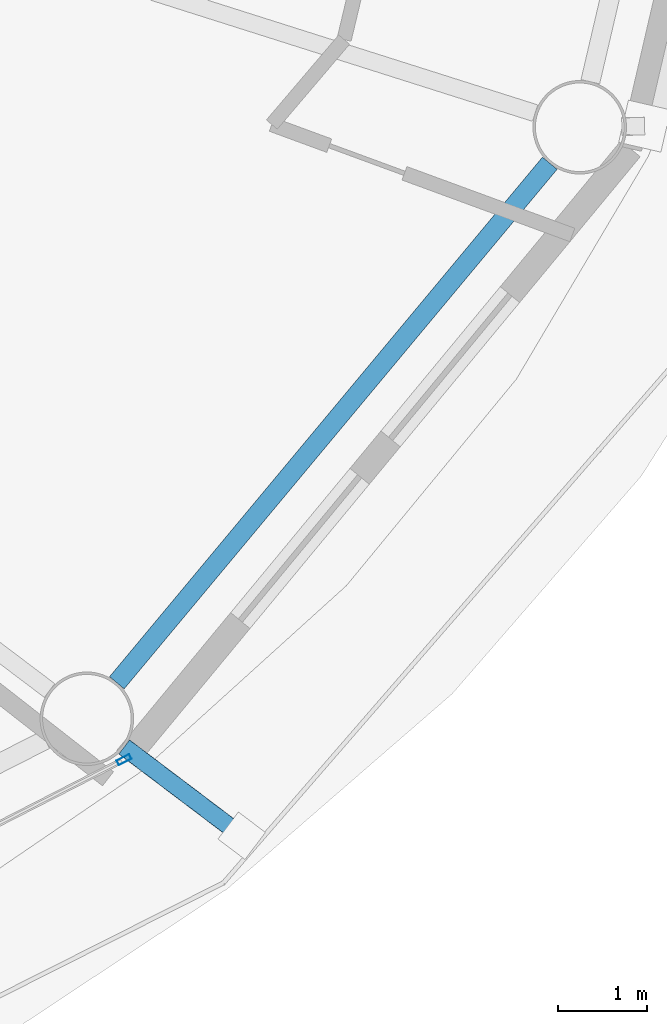
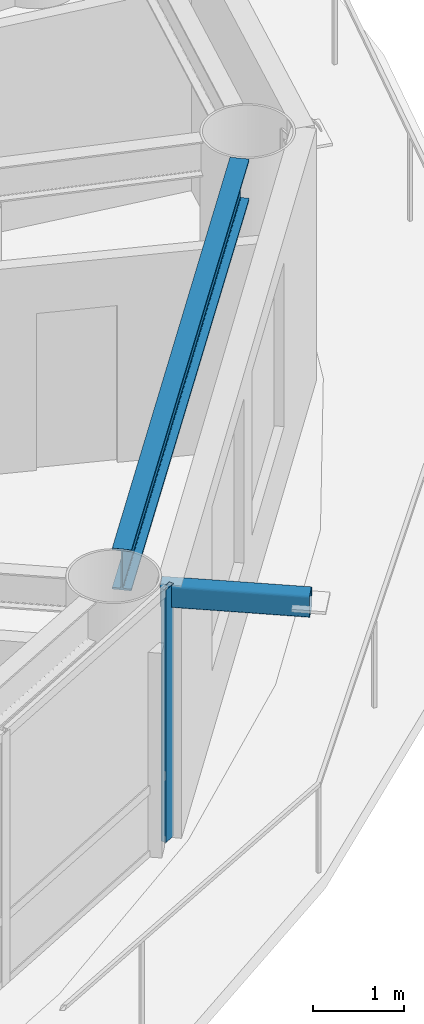
# One storey, part 7 of 29: 2 members, 1 beam, 1 element without a shape of its own.
"""IFC4 building model written with IfcOpenShell, lengths in metres."""

from ifc_helpers import new_model, si_unit, direction, frame, origin, origin_2d, place, context, subcontext, project, spatial, hollow_rectangle, i_section, extrude, material, layer, layer_set, material_profile, profile_set, type_object, element, aggregate, save


model = new_model("IFC4")

# Units and contexts
model_context = context("Model", 3, precision=1e-05, world=origin(), true_north=direction((0.0, 1.0)))
body_context = subcontext(model_context, "Body", "Model", "MODEL_VIEW")
ifc_project = project(units=[si_unit("LENGTHUNIT", "METRE"), si_unit("AREAUNIT", "SQUARE_METRE"), si_unit("VOLUMEUNIT", "CUBIC_METRE"), si_unit("PLANEANGLEUNIT", "RADIAN"), si_unit("MASSUNIT", "GRAM", prefix="KILO")], contexts=[model_context])

# Site, building, storey
site_placement = place(None, origin())
site = spatial("IfcSite", under=ifc_project, at=site_placement, CompositionType="ELEMENT")
building_placement = place(site_placement, origin())
building = spatial("IfcBuilding", under=site, at=building_placement, Name="Sarneth Arch Tower", CompositionType="ELEMENT")
storey_placement = place(building_placement, frame((0.0, 0.0, 165.0)))
storey = spatial("IfcBuildingStorey", under=building, at=storey_placement, Name="L41", CompositionType="ELEMENT", Elevation=165.0)

# Beam
ifc_material_1 = material(Name="Steel S355", Category="steel")
ifc_material_profile_1 = material_profile(ifc_material_1, i_section(OverallWidth=0.214111328125, OverallDepth=0.549072265625, WebThickness=0.0146484375, FlangeThickness=0.023681640625, FilletRadius=0.01806640625, at=origin_2d()), Name="W530x138")
ifc_profile_set_1 = profile_set([ifc_material_profile_1], Name="Steel S355")
beam_type = type_object("IfcBeamType", Name="BM-RAD-530A", PredefinedType="BEAM", material=ifc_profile_set_1)
beam_placement = place(storey_placement, frame((67.469970703125, 27.943115234375, 3.10546875), z_axis=(0.640171737024, 0.768231831621, 0.0), x_axis=(-0.768231831621, 0.640171737024, 0.0)))
element("IfcBeam", 1, at=beam_placement, inside=storey, type_object=beam_type, Name="L41 Perimeter spandrel beam 15", PredefinedType="BEAM", context=body_context, shape_type="SweptSolid", body=[
    extrude(i_section(OverallWidth=0.214111328125, OverallDepth=0.549072265625, WebThickness=0.0146484375, FlangeThickness=0.023681640625, FilletRadius=0.01806640625, at=origin_2d()), origin(), (0.0, 0.0, 1.0), 7.585693359375),
])

# Curtain wall, member
ifc_material_2 = material(Name="Anodised aluminium Type AA25 and solar-control low-e laminated IGU", Category="aluminium")
ifc_layer = layer(ifc_material_2, 0.169921875)
ifc_layer_set = layer_set([ifc_layer], Name="Anodised aluminium Type AA25 and solar-control low-e laminated IGU")
curtain_wall_type = type_object("IfcCurtainWallType", Name="CW-RES-MID", PredefinedType="NOTDEFINED", material=ifc_layer_set)
curtain_wall_placement = place(storey_placement, origin())
curtain_wall = element("IfcCurtainWall", 2, at=curtain_wall_placement, inside=storey, type_object=curtain_wall_type, Name="L41 Unitised curtain wall facet 14", PredefinedType="NOTDEFINED")
ifc_material_3 = material(Name="Anodised Aluminium 6063-T6", Category="aluminium")
ifc_material_profile_2 = material_profile(ifc_material_3, hollow_rectangle(XDim=0.06005859375, YDim=0.159912109375, WallThickness=0.00390625, at=origin_2d()), Name="AL-MULL-160x60x4")
ifc_profile_set_2 = profile_set([ifc_material_profile_2], Name="Anodised Aluminium 6063-T6")
member_type_1 = type_object("IfcMemberType", Name="CW-MULLION", PredefinedType="MULLION", material=ifc_profile_set_2)
member_1_placement = place(storey_placement, frame((67.549560546875, 27.08056640625, 0.0), z_axis=(0.0, 0.0, 1.0), x_axis=(-0.456208470329, 0.88987293003, 0.0)))
member_1 = element("IfcMember", 3, at=member_1_placement, type_object=member_type_1, Name="CW-SYS-5 mullion 4", PredefinedType="MULLION", context=body_context, shape_type="SweptSolid", body=[
    extrude(hollow_rectangle(XDim=0.06005859375, YDim=0.159912109375, WallThickness=0.00390625, at=origin_2d()), origin(), (0.0, 0.0, 1.0), 3.3798828125),
])
aggregate(curtain_wall, [member_1])

# Member
ifc_material_4 = material(Name="Steel S355", Category="steel")
ifc_material_profile_3 = material_profile(ifc_material_4, hollow_rectangle(XDim=0.199951171875, YDim=0.300048828125, WallThickness=0.012451171875, InnerFilletRadius=0.018798828125, OuterFilletRadius=0.03125, at=origin_2d()), Name="RHS300x200x12.5")
ifc_profile_set_3 = profile_set([ifc_material_profile_3], Name="Steel S355")
member_type_2 = type_object("IfcMemberType", Name="MEM-CANT-STRUT", PredefinedType="STRUT", material=ifc_profile_set_3)
member_2_placement = place(storey_placement, frame((67.552734375, 27.22314453125, 3.219970703125), z_axis=(0.797759896615, -0.602975246052, 0.0), x_axis=(0.602975246052, 0.797759896615, 0.0)))
element("IfcMember", 4, at=member_2_placement, inside=storey, type_object=member_type_2, Name="L41 Balcony cantilever bracket 15", PredefinedType="STRUT", context=body_context, shape_type="SweptSolid", body=[
    extrude(hollow_rectangle(XDim=0.199951171875, YDim=0.300048828125, WallThickness=0.012451171875, InnerFilletRadius=0.018798828125, OuterFilletRadius=0.03125, at=origin_2d()), origin(), (0.0, 0.0, 1.0), 1.65185546875),
])

save(model, "model.ifc")
